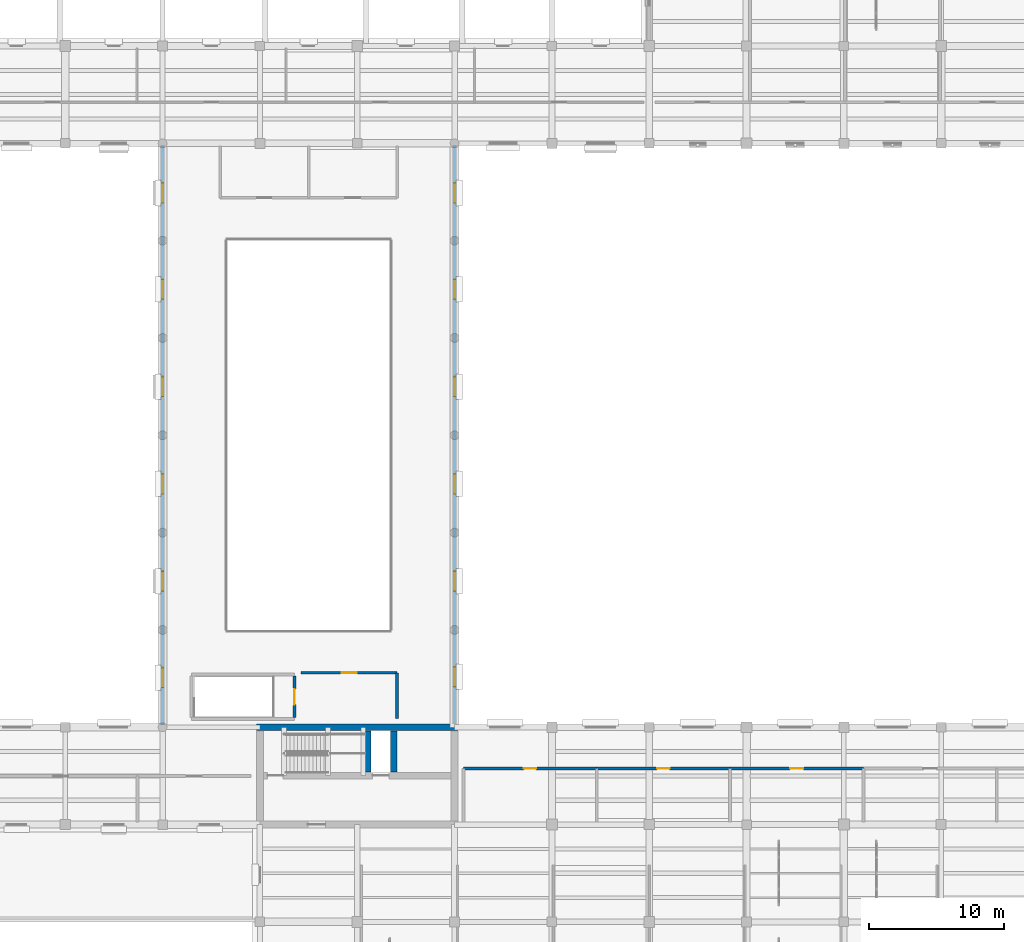
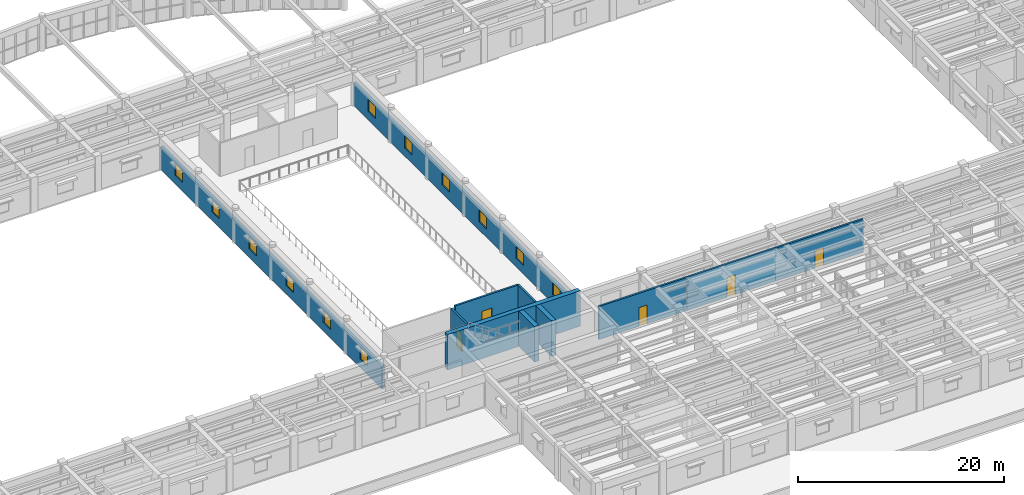
# One storey, part 52 of 76: 12 windows, 11 walls, 5 doors, 17 openings.
"""IFC4 building model written with IfcOpenShell, lengths in metres."""

from ifc_helpers import new_model, si_unit, direction, frame, frame_2d, origin, place, context, subcontext, project, spatial, rectangle, extrude, material, layer, layer_set, type_object, element, fill, save


model = new_model("IFC4")

# Units and contexts
model_context = context("Model", 3, precision=1e-05, world=origin(), true_north=direction((0.0, 1.0)))
body_context = subcontext(model_context, "Body", "Model", "MODEL_VIEW")
ifc_project = project(units=[si_unit("LENGTHUNIT", "METRE"), si_unit("AREAUNIT", "SQUARE_METRE"), si_unit("VOLUMEUNIT", "CUBIC_METRE"), si_unit("PLANEANGLEUNIT", "RADIAN"), si_unit("MASSUNIT", "GRAM", prefix="KILO")], contexts=[model_context])

# Site, building, storey
site_placement = place(None, origin())
site = spatial("IfcSite", under=ifc_project, at=site_placement, CompositionType="ELEMENT")
building_placement = place(site_placement, origin())
building = spatial("IfcBuilding", under=site, at=building_placement, Name="Mithqara Police Headquarters", CompositionType="ELEMENT")
storey_placement = place(building_placement, frame((0.0, 0.0, 5.39990234375)))
storey = spatial("IfcBuildingStorey", under=building, at=storey_placement, Name="L01", CompositionType="ELEMENT", Elevation=5.39990234375)

# Wall, openings, windows
ifc_material_1 = material(Name="Ochre masonry cavity wall, 35 MPa", Category="masonry")
ifc_layer_1 = layer(ifc_material_1, 0.300048828125, Name="Ochre masonry cavity wall, 35 MPa")
ifc_layer_set_1 = layer_set([ifc_layer_1], Name="Ochre masonry cavity wall, 35 MPa")
wall_type_1 = type_object("IfcWallType", Name="EXT WALL OCHRE BRICK300", PredefinedType="SOLIDWALL", material=ifc_layer_set_1)
wall_1_placement = place(storey_placement, frame((72.60009765625, 78.449951171875, 0.0), z_axis=(0.0, 0.0, 1.0), x_axis=(0.0, -1.0, 0.0)))
wall_1 = element("IfcWall", 1, at=wall_1_placement, inside=storey, type_object=wall_type_1, Name="L01 Exterior Wall 4.1", PredefinedType="SOLIDWALL", context=body_context, shape_type="SweptSolid", body=[
    extrude(rectangle(XDim=42.89990234375, YDim=0.300048828125, at=frame_2d((21.449951171875, 0.0))), origin(), (0.0, 0.0, 1.0), 2.72021484375),
])
opening_1_placement = place(wall_1_placement, frame((38.64990234375, 0.0, 1.0)))
opening_1 = element("IfcOpeningElement", 2, at=opening_1_placement, cuts=wall_1, Name="Opening W-21", PredefinedType="OPENING", context=body_context, shape_type="SweptSolid", body=[
    extrude(rectangle(XDim=1.449951171875, YDim=1.39990234375, at=frame_2d((0.72509765625, 0.699951171875))), frame((0.0, 0.16015625, 0.0), z_axis=(0.0, -1.0, 0.0), x_axis=(1.0, 0.0, 0.0)), (0.0, 0.0, 1.0), 0.320068359375),
])
opening_2_placement = place(wall_1_placement, frame((31.52490234375, 0.0, 1.0)))
opening_2 = element("IfcOpeningElement", 3, at=opening_2_placement, cuts=wall_1, Name="Opening W-21", PredefinedType="OPENING", context=body_context, shape_type="SweptSolid", body=[
    extrude(rectangle(XDim=1.449951171875, YDim=1.39990234375, at=frame_2d((0.72509765625, 0.699951171875))), frame((0.0, 0.16015625, 0.0), z_axis=(0.0, -1.0, 0.0), x_axis=(1.0, 0.0, 0.0)), (0.0, 0.0, 1.0), 0.320068359375),
])
opening_3_placement = place(wall_1_placement, frame((24.324951171875, 0.0, 1.0)))
opening_3 = element("IfcOpeningElement", 4, at=opening_3_placement, cuts=wall_1, Name="Opening W-21", PredefinedType="OPENING", context=body_context, shape_type="SweptSolid", body=[
    extrude(rectangle(XDim=1.449951171875, YDim=1.39990234375, at=frame_2d((0.72509765625, 0.699951171875))), frame((0.0, 0.16015625, 0.0), z_axis=(0.0, -1.0, 0.0), x_axis=(1.0, 0.0, 0.0)), (0.0, 0.0, 1.0), 0.320068359375),
])
opening_4_placement = place(wall_1_placement, frame((17.125, 0.0, 1.0)))
opening_4 = element("IfcOpeningElement", 5, at=opening_4_placement, cuts=wall_1, Name="Opening W-21", PredefinedType="OPENING", context=body_context, shape_type="SweptSolid", body=[
    extrude(rectangle(XDim=1.449951171875, YDim=1.39990234375, at=frame_2d((0.72509765625, 0.699951171875))), frame((0.0, 0.16015625, 0.0), z_axis=(0.0, -1.0, 0.0), x_axis=(1.0, 0.0, 0.0)), (0.0, 0.0, 1.0), 0.320068359375),
])
opening_5_placement = place(wall_1_placement, frame((9.925048828125, 0.0, 1.0)))
opening_5 = element("IfcOpeningElement", 6, at=opening_5_placement, cuts=wall_1, Name="Opening W-21", PredefinedType="OPENING", context=body_context, shape_type="SweptSolid", body=[
    extrude(rectangle(XDim=1.449951171875, YDim=1.39990234375, at=frame_2d((0.72509765625, 0.699951171875))), frame((0.0, 0.16015625, 0.0), z_axis=(0.0, -1.0, 0.0), x_axis=(1.0, 0.0, 0.0)), (0.0, 0.0, 1.0), 0.320068359375),
])
opening_6_placement = place(wall_1_placement, frame((2.800048828125, 0.0, 1.0)))
opening_6 = element("IfcOpeningElement", 7, at=opening_6_placement, cuts=wall_1, Name="Opening W-21", PredefinedType="OPENING", context=body_context, shape_type="SweptSolid", body=[
    extrude(rectangle(XDim=1.449951171875, YDim=1.39990234375, at=frame_2d((0.72509765625, 0.699951171875))), frame((0.0, 0.16015625, 0.0), z_axis=(0.0, -1.0, 0.0), x_axis=(1.0, 0.0, 0.0)), (0.0, 0.0, 1.0), 0.320068359375),
])
ifc_material_2 = material(Name="Spectrally selective double low-e glass", Category="glass")
window_type = type_object("IfcWindowType", Name="WINDOW 1450X1400", PartitioningType="SINGLE_PANEL", PredefinedType="WINDOW", material=ifc_material_2)
window_1_placement = place(opening_1_placement, origin())
window_1 = element("IfcWindow", 8, at=window_1_placement, inside=storey, type_object=window_type, Name="L01 Deep-Set Punched Window 4.1", OverallHeight=1.39990234375, OverallWidth=1.449951171875, PartitioningType="SINGLE_PANEL", PredefinedType="WINDOW", context=body_context, shape_type="SweptSolid", body=[
    extrude(rectangle(XDim=1.449951171875, YDim=1.39990234375, at=frame_2d((0.72509765625, 0.699951171875))), frame((0.0, 0.030029296875, 0.0), z_axis=(0.0, -1.0, 0.0), x_axis=(1.0, 0.0, 0.0)), (0.0, 0.0, 1.0), 0.06005859375),
])
fill(opening_1, window_1)
window_2_placement = place(opening_2_placement, origin())
window_2 = element("IfcWindow", 9, at=window_2_placement, inside=storey, type_object=window_type, Name="L01 Deep-Set Punched Window 4.2", OverallHeight=1.39990234375, OverallWidth=1.449951171875, PartitioningType="SINGLE_PANEL", PredefinedType="WINDOW", context=body_context, shape_type="SweptSolid", body=[
    extrude(rectangle(XDim=1.449951171875, YDim=1.39990234375, at=frame_2d((0.72509765625, 0.699951171875))), frame((0.0, 0.030029296875, 0.0), z_axis=(0.0, -1.0, 0.0), x_axis=(1.0, 0.0, 0.0)), (0.0, 0.0, 1.0), 0.06005859375),
])
fill(opening_2, window_2)
window_3_placement = place(opening_3_placement, origin())
window_3 = element("IfcWindow", 10, at=window_3_placement, inside=storey, type_object=window_type, Name="L01 Deep-Set Punched Window 4.3", OverallHeight=1.39990234375, OverallWidth=1.449951171875, PartitioningType="SINGLE_PANEL", PredefinedType="WINDOW", context=body_context, shape_type="SweptSolid", body=[
    extrude(rectangle(XDim=1.449951171875, YDim=1.39990234375, at=frame_2d((0.72509765625, 0.699951171875))), frame((0.0, 0.030029296875, 0.0), z_axis=(0.0, -1.0, 0.0), x_axis=(1.0, 0.0, 0.0)), (0.0, 0.0, 1.0), 0.06005859375),
])
fill(opening_3, window_3)
window_4_placement = place(opening_4_placement, origin())
window_4 = element("IfcWindow", 11, at=window_4_placement, inside=storey, type_object=window_type, Name="L01 Deep-Set Punched Window 4.4", OverallHeight=1.39990234375, OverallWidth=1.449951171875, PartitioningType="SINGLE_PANEL", PredefinedType="WINDOW", context=body_context, shape_type="SweptSolid", body=[
    extrude(rectangle(XDim=1.449951171875, YDim=1.39990234375, at=frame_2d((0.72509765625, 0.699951171875))), frame((0.0, 0.030029296875, 0.0), z_axis=(0.0, -1.0, 0.0), x_axis=(1.0, 0.0, 0.0)), (0.0, 0.0, 1.0), 0.06005859375),
])
fill(opening_4, window_4)
window_5_placement = place(opening_5_placement, origin())
window_5 = element("IfcWindow", 12, at=window_5_placement, inside=storey, type_object=window_type, Name="L01 Deep-Set Punched Window 4.5", OverallHeight=1.39990234375, OverallWidth=1.449951171875, PartitioningType="SINGLE_PANEL", PredefinedType="WINDOW", context=body_context, shape_type="SweptSolid", body=[
    extrude(rectangle(XDim=1.449951171875, YDim=1.39990234375, at=frame_2d((0.72509765625, 0.699951171875))), frame((0.0, 0.030029296875, 0.0), z_axis=(0.0, -1.0, 0.0), x_axis=(1.0, 0.0, 0.0)), (0.0, 0.0, 1.0), 0.06005859375),
])
fill(opening_5, window_5)
window_6_placement = place(opening_6_placement, origin())
window_6 = element("IfcWindow", 13, at=window_6_placement, inside=storey, type_object=window_type, Name="L01 Deep-Set Punched Window 4.6", OverallHeight=1.39990234375, OverallWidth=1.449951171875, PartitioningType="SINGLE_PANEL", PredefinedType="WINDOW", context=body_context, shape_type="SweptSolid", body=[
    extrude(rectangle(XDim=1.449951171875, YDim=1.39990234375, at=frame_2d((0.72509765625, 0.699951171875))), frame((0.0, 0.030029296875, 0.0), z_axis=(0.0, -1.0, 0.0), x_axis=(1.0, 0.0, 0.0)), (0.0, 0.0, 1.0), 0.06005859375),
])
fill(opening_6, window_6)

wall_2_placement = place(storey_placement, frame((94.199951171875, 35.64990234375, 0.0), z_axis=(0.0, 0.0, 1.0), x_axis=(0.0, 1.0, 0.0)))
wall_2 = element("IfcWall", 14, at=wall_2_placement, inside=storey, type_object=wall_type_1, Name="L01 Exterior Wall 1.1", PredefinedType="SOLIDWALL", context=body_context, shape_type="SweptSolid", body=[
    extrude(rectangle(XDim=42.800048828125, YDim=0.300048828125, at=frame_2d((21.39990234375, 0.0))), origin(), (0.0, 0.0, 1.0), 2.72021484375),
])
opening_7_placement = place(wall_2_placement, frame((2.75, 0.0, 1.0)))
opening_7 = element("IfcOpeningElement", 15, at=opening_7_placement, cuts=wall_2, Name="Opening W-21", PredefinedType="OPENING", context=body_context, shape_type="SweptSolid", body=[
    extrude(rectangle(XDim=1.449951171875, YDim=1.39990234375, at=frame_2d((0.72509765625, 0.699951171875))), frame((0.0, 0.16015625, 0.0), z_axis=(0.0, -1.0, 0.0), x_axis=(1.0, 0.0, 0.0)), (0.0, 0.0, 1.0), 0.320068359375),
])
opening_8_placement = place(wall_2_placement, frame((9.824951171875, 0.0, 1.0)))
opening_8 = element("IfcOpeningElement", 16, at=opening_8_placement, cuts=wall_2, Name="Opening W-21", PredefinedType="OPENING", context=body_context, shape_type="SweptSolid", body=[
    extrude(rectangle(XDim=1.449951171875, YDim=1.39990234375, at=frame_2d((0.72509765625, 0.699951171875))), frame((0.0, 0.16015625, 0.0), z_axis=(0.0, -1.0, 0.0), x_axis=(1.0, 0.0, 0.0)), (0.0, 0.0, 1.0), 0.320068359375),
])
opening_9_placement = place(wall_2_placement, frame((17.02490234375, 0.0, 1.0)))
opening_9 = element("IfcOpeningElement", 17, at=opening_9_placement, cuts=wall_2, Name="Opening W-21", PredefinedType="OPENING", context=body_context, shape_type="SweptSolid", body=[
    extrude(rectangle(XDim=1.449951171875, YDim=1.39990234375, at=frame_2d((0.72509765625, 0.699951171875))), frame((0.0, 0.16015625, 0.0), z_axis=(0.0, -1.0, 0.0), x_axis=(1.0, 0.0, 0.0)), (0.0, 0.0, 1.0), 0.320068359375),
])
opening_10_placement = place(wall_2_placement, frame((24.22509765625, 0.0, 1.0)))
opening_10 = element("IfcOpeningElement", 18, at=opening_10_placement, cuts=wall_2, Name="Opening W-21", PredefinedType="OPENING", context=body_context, shape_type="SweptSolid", body=[
    extrude(rectangle(XDim=1.449951171875, YDim=1.39990234375, at=frame_2d((0.72509765625, 0.699951171875))), frame((0.0, 0.16015625, 0.0), z_axis=(0.0, -1.0, 0.0), x_axis=(1.0, 0.0, 0.0)), (0.0, 0.0, 1.0), 0.320068359375),
])
opening_11_placement = place(wall_2_placement, frame((31.425048828125, 0.0, 1.0)))
opening_11 = element("IfcOpeningElement", 19, at=opening_11_placement, cuts=wall_2, Name="Opening W-21", PredefinedType="OPENING", context=body_context, shape_type="SweptSolid", body=[
    extrude(rectangle(XDim=1.449951171875, YDim=1.39990234375, at=frame_2d((0.72509765625, 0.699951171875))), frame((0.0, 0.16015625, 0.0), z_axis=(0.0, -1.0, 0.0), x_axis=(1.0, 0.0, 0.0)), (0.0, 0.0, 1.0), 0.320068359375),
])
opening_12_placement = place(wall_2_placement, frame((38.550048828125, 0.0, 1.0)))
opening_12 = element("IfcOpeningElement", 20, at=opening_12_placement, cuts=wall_2, Name="Opening W-21", PredefinedType="OPENING", context=body_context, shape_type="SweptSolid", body=[
    extrude(rectangle(XDim=1.449951171875, YDim=1.39990234375, at=frame_2d((0.72509765625, 0.699951171875))), frame((0.0, 0.16015625, 0.0), z_axis=(0.0, -1.0, 0.0), x_axis=(1.0, 0.0, 0.0)), (0.0, 0.0, 1.0), 0.320068359375),
])
window_7_placement = place(opening_7_placement, origin())
window_7 = element("IfcWindow", 21, at=window_7_placement, inside=storey, type_object=window_type, Name="L01 Deep-Set Punched Window 1.1", OverallHeight=1.39990234375, OverallWidth=1.449951171875, PartitioningType="SINGLE_PANEL", PredefinedType="WINDOW", context=body_context, shape_type="SweptSolid", body=[
    extrude(rectangle(XDim=1.449951171875, YDim=1.39990234375, at=frame_2d((0.72509765625, 0.699951171875))), frame((0.0, 0.030029296875, 0.0), z_axis=(0.0, -1.0, 0.0), x_axis=(1.0, 0.0, 0.0)), (0.0, 0.0, 1.0), 0.06005859375),
])
fill(opening_7, window_7)
window_8_placement = place(opening_8_placement, origin())
window_8 = element("IfcWindow", 22, at=window_8_placement, inside=storey, type_object=window_type, Name="L01 Deep-Set Punched Window 1.2", OverallHeight=1.39990234375, OverallWidth=1.449951171875, PartitioningType="SINGLE_PANEL", PredefinedType="WINDOW", context=body_context, shape_type="SweptSolid", body=[
    extrude(rectangle(XDim=1.449951171875, YDim=1.39990234375, at=frame_2d((0.72509765625, 0.699951171875))), frame((0.0, 0.030029296875, 0.0), z_axis=(0.0, -1.0, 0.0), x_axis=(1.0, 0.0, 0.0)), (0.0, 0.0, 1.0), 0.06005859375),
])
fill(opening_8, window_8)
window_9_placement = place(opening_9_placement, origin())
window_9 = element("IfcWindow", 23, at=window_9_placement, inside=storey, type_object=window_type, Name="L01 Deep-Set Punched Window 1.3", OverallHeight=1.39990234375, OverallWidth=1.449951171875, PartitioningType="SINGLE_PANEL", PredefinedType="WINDOW", context=body_context, shape_type="SweptSolid", body=[
    extrude(rectangle(XDim=1.449951171875, YDim=1.39990234375, at=frame_2d((0.72509765625, 0.699951171875))), frame((0.0, 0.030029296875, 0.0), z_axis=(0.0, -1.0, 0.0), x_axis=(1.0, 0.0, 0.0)), (0.0, 0.0, 1.0), 0.06005859375),
])
fill(opening_9, window_9)
window_10_placement = place(opening_10_placement, origin())
window_10 = element("IfcWindow", 24, at=window_10_placement, inside=storey, type_object=window_type, Name="L01 Deep-Set Punched Window 1.4", OverallHeight=1.39990234375, OverallWidth=1.449951171875, PartitioningType="SINGLE_PANEL", PredefinedType="WINDOW", context=body_context, shape_type="SweptSolid", body=[
    extrude(rectangle(XDim=1.449951171875, YDim=1.39990234375, at=frame_2d((0.72509765625, 0.699951171875))), frame((0.0, 0.030029296875, 0.0), z_axis=(0.0, -1.0, 0.0), x_axis=(1.0, 0.0, 0.0)), (0.0, 0.0, 1.0), 0.06005859375),
])
fill(opening_10, window_10)
window_11_placement = place(opening_11_placement, origin())
window_11 = element("IfcWindow", 25, at=window_11_placement, inside=storey, type_object=window_type, Name="L01 Deep-Set Punched Window 1.5", OverallHeight=1.39990234375, OverallWidth=1.449951171875, PartitioningType="SINGLE_PANEL", PredefinedType="WINDOW", context=body_context, shape_type="SweptSolid", body=[
    extrude(rectangle(XDim=1.449951171875, YDim=1.39990234375, at=frame_2d((0.72509765625, 0.699951171875))), frame((0.0, 0.030029296875, 0.0), z_axis=(0.0, -1.0, 0.0), x_axis=(1.0, 0.0, 0.0)), (0.0, 0.0, 1.0), 0.06005859375),
])
fill(opening_11, window_11)
window_12_placement = place(opening_12_placement, origin())
window_12 = element("IfcWindow", 26, at=window_12_placement, inside=storey, type_object=window_type, Name="L01 Deep-Set Punched Window 1.6", OverallHeight=1.39990234375, OverallWidth=1.449951171875, PartitioningType="SINGLE_PANEL", PredefinedType="WINDOW", context=body_context, shape_type="SweptSolid", body=[
    extrude(rectangle(XDim=1.449951171875, YDim=1.39990234375, at=frame_2d((0.72509765625, 0.699951171875))), frame((0.0, 0.030029296875, 0.0), z_axis=(0.0, -1.0, 0.0), x_axis=(1.0, 0.0, 0.0)), (0.0, 0.0, 1.0), 0.06005859375),
])
fill(opening_12, window_12)

# Wall, opening, door
ifc_material_3 = material(Name="Concrete C40/50", Category="concrete")
ifc_layer_2 = layer(ifc_material_3, 0.2099609375, Name="Concrete C40/50")
ifc_layer_set_2 = layer_set([ifc_layer_2], Name="Concrete C40/50")
wall_type_2 = type_object("IfcWallType", Name="PART WALL 210", PredefinedType="PARTITIONING", material=ifc_layer_set_2)
wall_3_placement = place(storey_placement, frame((82.35009765625, 36.114990234375, 0.0), z_axis=(0.0, 0.0, 1.0), x_axis=(0.0, 1.0, 0.0)))
wall_3 = element("IfcWall", 27, at=wall_3_placement, inside=storey, type_object=wall_type_2, Name="L01 ST-05 Stair Enclosure Wall E", PredefinedType="PARTITIONING", context=body_context, shape_type="SweptSolid", body=[
    extrude(rectangle(XDim=3.070068359375, YDim=0.2099609375, at=frame_2d((1.53515625, 0.0))), origin(), (0.0, 0.0, 1.0), 3.920166015625),
])
opening_13_placement = place(wall_3_placement, frame((0.9599609375, 0.0, 0.0)))
opening_13 = element("IfcOpeningElement", 28, at=opening_13_placement, cuts=wall_3, Name="Opening FD-01", PredefinedType="OPENING", context=body_context, shape_type="SweptSolid", body=[
    extrude(rectangle(XDim=1.14990234375, YDim=2.14990234375, at=frame_2d((0.574951171875, 1.074951171875))), frame((0.0, 0.114990234375, 0.0), z_axis=(0.0, -1.0, 0.0), x_axis=(1.0, 0.0, 0.0)), (0.0, 0.0, 1.0), 0.22998046875),
])
ifc_material_4 = material(Name="Steel S355JR", Category="steel")
door_type_1 = type_object("IfcDoorType", Name="CORE DOOR STAIR 1150X2150", OperationType="NOTDEFINED", PredefinedType="DOOR", material=ifc_material_4)
door_1_placement = place(opening_13_placement, origin())
door_1 = element("IfcDoor", 29, at=door_1_placement, inside=storey, type_object=door_type_1, Name="L01 ST-05 Gallery Stair Door", OperationType="SINGLE_SWING_LEFT", OverallHeight=2.14990234375, OverallWidth=1.14990234375, PredefinedType="DOOR", context=body_context, shape_type="SweptSolid", body=[
    extrude(rectangle(XDim=1.14990234375, YDim=2.14990234375, at=frame_2d((0.574951171875, 1.074951171875))), frame((0.0, 0.02490234375, 0.0), z_axis=(0.0, -1.0, 0.0), x_axis=(1.0, 0.0, 0.0)), (0.0, 0.0, 1.0), 0.050048828125),
])
fill(opening_13, door_1)

# Wall
wall_4_placement = place(storey_placement, frame((89.949951171875, 36.050048828125, 0.0), z_axis=(0.0, 0.0, 1.0), x_axis=(0.0, 1.0, 0.0)))
element("IfcWall", 30, at=wall_4_placement, inside=storey, type_object=wall_type_2, Name="L01 Partition End Closure E1", PredefinedType="PARTITIONING", context=body_context, shape_type="SweptSolid", body=[
    extrude(rectangle(XDim=3.3798828125, YDim=0.2099609375, at=frame_2d((1.68994140625, 0.0))), origin(), (0.0, 0.0, 1.0), 3.920166015625),
])

# Wall, opening, door
wall_5_placement = place(storey_placement, frame((82.85009765625, 39.429931640625, 0.0), z_axis=(0.0, 0.0, 1.0), x_axis=(1.0, 0.0, 0.0)))
wall_5 = element("IfcWall", 31, at=wall_5_placement, inside=storey, type_object=wall_type_2, Name="L01 Corridor Wall Public Viewing Gallery", PredefinedType="PARTITIONING", context=body_context, shape_type="SweptSolid", body=[
    extrude(rectangle(XDim=7.099853515625, YDim=0.2099609375, at=frame_2d((3.5498046875, 0.0))), origin(), (0.0, 0.0, 1.0), 3.920166015625),
])
opening_14_placement = place(wall_5_placement, frame((3.0, 0.0, 0.0)))
opening_14 = element("IfcOpeningElement", 32, at=opening_14_placement, cuts=wall_5, Name="Opening D-11", PredefinedType="OPENING", context=body_context, shape_type="SweptSolid", body=[
    extrude(rectangle(XDim=1.10009765625, YDim=2.219970703125, at=frame_2d((0.550048828125, 1.10986328125))), frame((0.0, 0.114990234375, 0.0), z_axis=(0.0, -1.0, 0.0), x_axis=(1.0, 0.0, 0.0)), (0.0, 0.0, 1.0), 0.22998046875),
])
ifc_material_5 = material(Name="Acoustic solid-core timber leaf", Category="wood")
door_type_2 = type_object("IfcDoorType", Name="INT DOOR 1100X2220", OperationType="NOTDEFINED", PredefinedType="DOOR", material=ifc_material_5)
door_2_placement = place(opening_14_placement, frame((1.10009765625, 0.0, 0.0), z_axis=(0.0, 0.0, 1.0), x_axis=(-1.0, 0.0, 0.0)))
door_2 = element("IfcDoor", 33, at=door_2_placement, inside=storey, type_object=door_type_2, Name="Public Viewing Gallery Entry Door", OperationType="SINGLE_SWING_RIGHT", OverallHeight=2.219970703125, OverallWidth=1.10009765625, PredefinedType="DOOR", context=body_context, shape_type="SweptSolid", body=[
    extrude(rectangle(XDim=1.10009765625, YDim=2.219970703125, at=frame_2d((0.550048828125, 1.10986328125))), frame((0.0, 0.02490234375, 0.0), z_axis=(0.0, -1.0, 0.0), x_axis=(1.0, 0.0, 0.0)), (0.0, 0.0, 1.0), 0.050048828125),
])
fill(opening_14, door_2)

wall_6_placement = place(storey_placement, frame((94.85009765625, 32.360107421875, 0.0), z_axis=(0.0, 0.0, 1.0), x_axis=(1.0, 0.0, 0.0)))
wall_6 = element("IfcWall", 34, at=wall_6_placement, inside=storey, type_object=wall_type_2, Name="L01 Corridor Wall Juvenile Welfare Consultation Room", PredefinedType="PARTITIONING", context=body_context, shape_type="SweptSolid", body=[
    extrude(rectangle(XDim=9.865966796875, YDim=0.2099609375, at=frame_2d((4.93310546875, 0.0))), origin(), (0.0, 0.0, 1.0), 3.920166015625),
])
opening_15_placement = place(wall_6_placement, frame((4.472900390625, 0.0, 0.0)))
opening_15 = element("IfcOpeningElement", 35, at=opening_15_placement, cuts=wall_6, Name="Opening D-02", PredefinedType="OPENING", context=body_context, shape_type="SweptSolid", body=[
    extrude(rectangle(XDim=0.919921875, YDim=2.219970703125, at=frame_2d((0.4599609375, 1.10986328125))), frame((0.0, 0.114990234375, 0.0), z_axis=(0.0, -1.0, 0.0), x_axis=(1.0, 0.0, 0.0)), (0.0, 0.0, 1.0), 0.22998046875),
])
door_type_3 = type_object("IfcDoorType", Name="INT DOOR 920X2220", OperationType="NOTDEFINED", PredefinedType="DOOR", material=ifc_material_5)
door_3_placement = place(opening_15_placement, frame((0.919921875, 0.0, 0.0), z_axis=(0.0, 0.0, 1.0), x_axis=(-1.0, 0.0, 0.0)))
door_3 = element("IfcDoor", 36, at=door_3_placement, inside=storey, type_object=door_type_3, Name="Juvenile Welfare Consultation Room Entry Door", OperationType="SINGLE_SWING_LEFT", OverallHeight=2.219970703125, OverallWidth=0.919921875, PredefinedType="DOOR", context=body_context, shape_type="SweptSolid", body=[
    extrude(rectangle(XDim=0.919921875, YDim=2.219970703125, at=frame_2d((0.4599609375, 1.10986328125))), frame((0.0, 0.02490234375, 0.0), z_axis=(0.0, -1.0, 0.0), x_axis=(1.0, 0.0, 0.0)), (0.0, 0.0, 1.0), 0.050048828125),
])
fill(opening_15, door_3)

wall_7_placement = place(storey_placement, frame((104.716064453125, 32.360107421875, 0.0), z_axis=(0.0, 0.0, 1.0), x_axis=(1.0, 0.0, 0.0)))
wall_7 = element("IfcWall", 37, at=wall_7_placement, inside=storey, type_object=wall_type_2, Name="L01 Corridor Wall Family Protection Suite", PredefinedType="PARTITIONING", context=body_context, shape_type="SweptSolid", body=[
    extrude(rectangle(XDim=9.865966796875, YDim=0.2099609375, at=frame_2d((4.93310546875, 0.0))), origin(), (0.0, 0.0, 1.0), 3.920166015625),
])
opening_16_placement = place(wall_7_placement, frame((4.472900390625, 0.0, 0.0)))
opening_16 = element("IfcOpeningElement", 38, at=opening_16_placement, cuts=wall_7, Name="Opening D-03", PredefinedType="OPENING", context=body_context, shape_type="SweptSolid", body=[
    extrude(rectangle(XDim=0.919921875, YDim=2.35009765625, at=frame_2d((0.4599609375, 1.175048828125))), frame((0.0, 0.114990234375, 0.0), z_axis=(0.0, -1.0, 0.0), x_axis=(1.0, 0.0, 0.0)), (0.0, 0.0, 1.0), 0.22998046875),
])
door_type_4 = type_object("IfcDoorType", Name="INT DOOR 920X2350", OperationType="NOTDEFINED", PredefinedType="DOOR", material=ifc_material_5)
door_4_placement = place(opening_16_placement, frame((0.919921875, 0.0, 0.0), z_axis=(0.0, 0.0, 1.0), x_axis=(-1.0, 0.0, 0.0)))
door_4 = element("IfcDoor", 39, at=door_4_placement, inside=storey, type_object=door_type_4, Name="Family Protection Suite Entry Door", OperationType="SINGLE_SWING_RIGHT", OverallHeight=2.35009765625, OverallWidth=0.919921875, PredefinedType="DOOR", context=body_context, shape_type="SweptSolid", body=[
    extrude(rectangle(XDim=0.919921875, YDim=2.35009765625, at=frame_2d((0.4599609375, 1.175048828125))), frame((0.0, 0.02490234375, 0.0), z_axis=(0.0, -1.0, 0.0), x_axis=(1.0, 0.0, 0.0)), (0.0, 0.0, 1.0), 0.050048828125),
])
fill(opening_16, door_4)

wall_8_placement = place(storey_placement, frame((114.58203125, 32.360107421875, 0.0), z_axis=(0.0, 0.0, 1.0), x_axis=(1.0, 0.0, 0.0)))
wall_8 = element("IfcWall", 40, at=wall_8_placement, inside=storey, type_object=wall_type_2, Name="L01 Corridor Wall Duty Advocates' Room", PredefinedType="PARTITIONING", context=body_context, shape_type="SweptSolid", body=[
    extrude(rectangle(XDim=9.865966796875, YDim=0.2099609375, at=frame_2d((4.93310546875, 0.0))), origin(), (0.0, 0.0, 1.0), 3.920166015625),
])
opening_17_placement = place(wall_8_placement, frame((4.443115234375, 0.0, 0.0)))
opening_17 = element("IfcOpeningElement", 41, at=opening_17_placement, cuts=wall_8, Name="Opening D-04", PredefinedType="OPENING", context=body_context, shape_type="SweptSolid", body=[
    extrude(rectangle(XDim=0.97998046875, YDim=2.10009765625, at=frame_2d((0.489990234375, 1.050048828125))), frame((0.0, 0.114990234375, 0.0), z_axis=(0.0, -1.0, 0.0), x_axis=(1.0, 0.0, 0.0)), (0.0, 0.0, 1.0), 0.22998046875),
])
door_type_5 = type_object("IfcDoorType", Name="INT DOOR 980X2100", OperationType="NOTDEFINED", PredefinedType="DOOR", material=ifc_material_5)
door_5_placement = place(opening_17_placement, frame((0.97998046875, 0.0, 0.0), z_axis=(0.0, 0.0, 1.0), x_axis=(-1.0, 0.0, 0.0)))
door_5 = element("IfcDoor", 42, at=door_5_placement, inside=storey, type_object=door_type_5, Name="Duty Advocates' Room Entry Door", OperationType="SINGLE_SWING_LEFT", OverallHeight=2.10009765625, OverallWidth=0.97998046875, PredefinedType="DOOR", context=body_context, shape_type="SweptSolid", body=[
    extrude(rectangle(XDim=0.97998046875, YDim=2.10009765625, at=frame_2d((0.489990234375, 1.050048828125))), frame((0.0, 0.02490234375, 0.0), z_axis=(0.0, -1.0, 0.0), x_axis=(1.0, 0.0, 0.0)), (0.0, 0.0, 1.0), 0.050048828125),
])
fill(opening_17, door_5)

# Walls
ifc_material_6 = material(Name="Concrete C50/60", Category="concrete")
ifc_layer_3 = layer(ifc_material_6, 0.5, Name="Concrete C50/60")
ifc_layer_set_3 = layer_set([ifc_layer_3], Name="Concrete C50/60")
wall_type_3 = type_object("IfcWallType", Name="SHEAR WALL 500", PredefinedType="SHEAR", material=ifc_layer_set_3)
wall_9_placement = place(storey_placement, frame((79.550048828125, 35.39990234375, 0.0), z_axis=(0.0, 0.0, 1.0), x_axis=(1.0, 0.0, 0.0)))
element("IfcWall", 43, at=wall_9_placement, inside=storey, type_object=wall_type_3, Name="Core C5 Courtyard South Shear Wall N", PredefinedType="SHEAR", context=body_context, shape_type="SweptSolid", body=[
    extrude(rectangle(XDim=14.89990234375, YDim=0.5, at=frame_2d((7.449951171875, 0.0))), origin(), (0.0, 0.0, 1.0), 4.2001953125),
])
for number, where, z_axis, x_axis, name in (
    (44, (87.780029296875, 32.080078125, 0.0), (0.0, 0.0, 1.0), (0.0, 1.0, 0.0), "Core C5 Courtyard South Shear Wall X"),
    (45, (89.699951171875, 32.080078125, 0.0), (0.0, 0.0, 1.0), (0.0, 1.0, 0.0), "Core C5 Courtyard South Shear Wall L1"),
):
    element("IfcWall", number, at=place(storey_placement, frame(where, z_axis=z_axis, x_axis=x_axis)), inside=storey, type_object=wall_type_3, Name=name, PredefinedType="SHEAR", context=body_context, shape_type="SweptSolid", body=[
        extrude(rectangle(XDim=3.059814453125, YDim=0.5, at=frame_2d((1.52978515625, 0.0))), origin(), (0.0, 0.0, 1.0), 4.2001953125),
    ])

save(model, "model.ifc")
